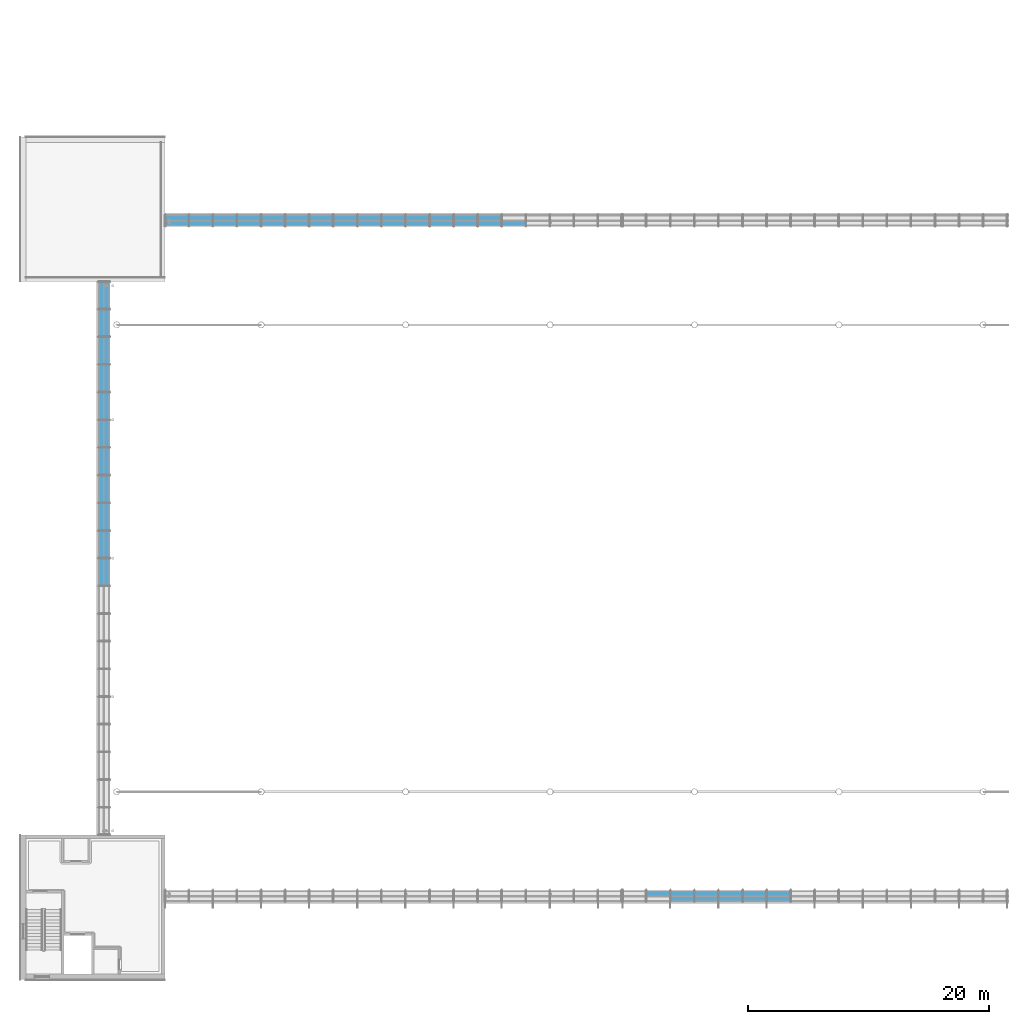
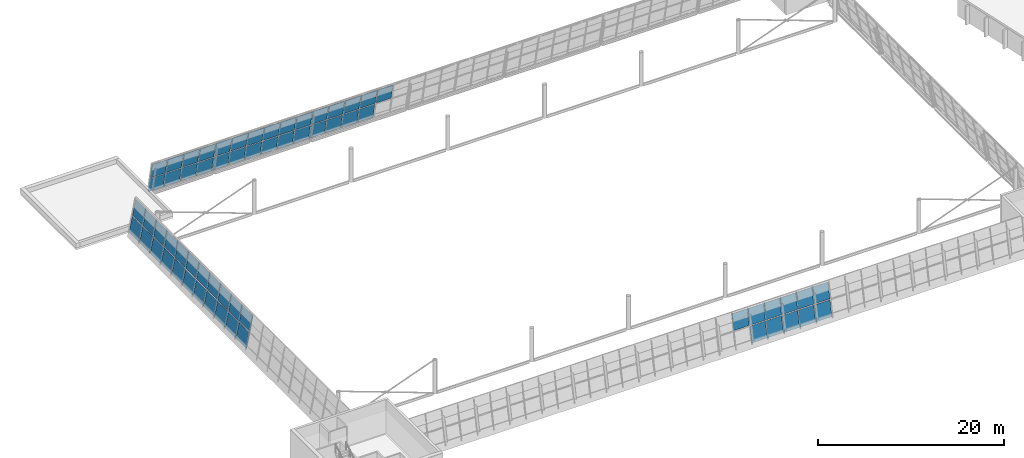
# One storey, part 24 of 50: 62 plates, 3 elements without a shape of their own.
"""IFC4 building model written with IfcOpenShell, lengths in metres."""

from ifc_helpers import new_model, si_unit, direction, frame, origin, place, context, subcontext, project, spatial, polyline, outline, extrude, material, layer, layer_set, type_object, element, aggregate, save


model = new_model("IFC4")

# Units and contexts
model_context = context("Model", 3, precision=1e-05, world=origin(), true_north=direction((0.0, 1.0)))
body_context = subcontext(model_context, "Body", "Model", "MODEL_VIEW")
ifc_project = project(units=[si_unit("LENGTHUNIT", "METRE"), si_unit("AREAUNIT", "SQUARE_METRE"), si_unit("VOLUMEUNIT", "CUBIC_METRE"), si_unit("PLANEANGLEUNIT", "RADIAN"), si_unit("MASSUNIT", "GRAM", prefix="KILO")], contexts=[model_context])

# Site, building, storey
site_placement = place(None, origin())
site = spatial("IfcSite", under=ifc_project, at=site_placement, CompositionType="ELEMENT")
building_placement = place(site_placement, origin())
building = spatial("IfcBuilding", under=site, at=building_placement, Name="Windward Yard Aquatics Centre", CompositionType="ELEMENT")
storey_placement = place(building_placement, frame((0.0, 0.0, 18.199951171875)))
storey = spatial("IfcBuildingStorey", under=building, at=storey_placement, Name="L04", CompositionType="ELEMENT", Elevation=18.199951171875)

# Curtain wall, plates
ifc_material_1 = material(Name="Glass and aluminium curtain wall", Category="aluminium")
ifc_layer_1 = layer(ifc_material_1, 0.179931640625)
ifc_layer_set_1 = layer_set([ifc_layer_1], Name="H curtain wall tier 2 double glazed 6+16+6")
curtain_wall_type = type_object("IfcCurtainWallType", Name="H curtain wall tier 2 double glazed 6+16+6", PredefinedType="NOTDEFINED", material=ifc_layer_set_1)
curtain_wall_1_placement = place(storey_placement, origin())
curtain_wall_1 = element("IfcCurtainWall", 1, at=curtain_wall_1_placement, inside=storey, type_object=curtain_wall_type, Name="Tier 2 glazing S L04", PredefinedType="NOTDEFINED")
ifc_material_2 = material(Name="Low-iron glass", Category="glass")
ifc_layer_2 = layer(ifc_material_2, 0.006, Name="Outer pane")
ifc_material_3 = material(Name="Argon-filled cavity")
ifc_layer_3 = layer(ifc_material_3, 0.016, Name="Cavity")
ifc_layer_4 = layer(ifc_material_2, 0.006, Name="Inner pane")
ifc_layer_set_2 = layer_set([ifc_layer_2, ifc_layer_3, ifc_layer_4], Name="H tier 2 glass low-e double glazed unit 28")
plate_type = type_object("IfcPlateType", Name="H tier 2 glass low-e double glazed unit 28", PredefinedType="CURTAIN_PANEL", material=ifc_layer_set_2)
plate_1_placement = place(storey_placement, frame((104.037353515625, 32.933837890625, 2.1767578125), z_axis=(0.0, -0.979926619255, 0.199358523457), x_axis=(1.0, 0.0, 0.0)))
plate_1 = element("IfcPlate", 2, at=plate_1_placement, type_object=plate_type, Name="G2SB panel 2.2", PredefinedType="CURTAIN_PANEL", context=body_context, shape_type="SweptSolid", body=[
    extrude(outline(polyline([(0.0, 0.0), (1.93457, 0.0), (1.93457, 2.012069), (0.0, 2.012069), (0.0, 0.0)])), origin(), (0.0, 0.0, -1.0), 0.028076171875),
])
plate_2_placement = place(storey_placement, frame((106.036865234375, 32.511474609375, 0.100830078125), z_axis=(0.0, -0.979933459069, 0.199324900092), x_axis=(1.0, 0.0, 0.0)))
plate_2 = element("IfcPlate", 3, at=plate_2_placement, type_object=plate_type, Name="G2SB panel 3.1", PredefinedType="CURTAIN_PANEL", context=body_context, shape_type="SweptSolid", body=[
    extrude(outline(polyline([(0.0, 0.0), (1.934814, 0.0), (1.934814, 2.018532), (0.0, 2.018532), (0.0, 0.0)])), origin(), (0.0, 0.0, -1.0), 0.028076171875),
])
plate_3_placement = place(storey_placement, frame((106.036865234375, 32.933837890625, 2.1767578125), z_axis=(0.0, -0.979926619255, 0.199358523457), x_axis=(1.0, 0.0, 0.0)))
plate_3 = element("IfcPlate", 4, at=plate_3_placement, type_object=plate_type, Name="G2SB panel 3.2", PredefinedType="CURTAIN_PANEL", context=body_context, shape_type="SweptSolid", body=[
    extrude(outline(polyline([(0.0, 0.0), (1.934814, 0.0), (1.934814, 2.012069), (0.0, 2.012069), (0.0, 0.0)])), origin(), (0.0, 0.0, -1.0), 0.028076171875),
])
plate_4_placement = place(storey_placement, frame((108.03662109375, 32.511474609375, 0.100830078125), z_axis=(0.0, -0.979933459069, 0.199324900092), x_axis=(1.0, 0.0, 0.0)))
plate_4 = element("IfcPlate", 5, at=plate_4_placement, type_object=plate_type, Name="G2SB panel 4.1", PredefinedType="CURTAIN_PANEL", context=body_context, shape_type="SweptSolid", body=[
    extrude(outline(polyline([(0.0, 0.0), (1.934814, 0.0), (1.934814, 2.018532), (0.0, 2.018532), (0.0, 0.0)])), origin(), (0.0, 0.0, -1.0), 0.028076171875),
])
plate_5_placement = place(storey_placement, frame((108.03662109375, 32.933837890625, 2.1767578125), z_axis=(0.0, -0.979926619255, 0.199358523457), x_axis=(1.0, 0.0, 0.0)))
plate_5 = element("IfcPlate", 6, at=plate_5_placement, type_object=plate_type, Name="G2SB panel 4.2", PredefinedType="CURTAIN_PANEL", context=body_context, shape_type="SweptSolid", body=[
    extrude(outline(polyline([(0.0, 0.0), (1.934814, 0.0), (1.934814, 2.012069), (0.0, 2.012069), (0.0, 0.0)])), origin(), (0.0, 0.0, -1.0), 0.028076171875),
])
plate_6_placement = place(storey_placement, frame((110.036376953125, 32.511474609375, 0.100830078125), z_axis=(0.0, -0.979933459069, 0.199324900092), x_axis=(1.0, 0.0, 0.0)))
plate_6 = element("IfcPlate", 7, at=plate_6_placement, type_object=plate_type, Name="G2SB panel 5.1", PredefinedType="CURTAIN_PANEL", context=body_context, shape_type="SweptSolid", body=[
    extrude(outline(polyline([(0.0, 0.0), (1.934814, 0.0), (1.934814, 2.018532), (0.0, 2.018532), (0.0, 0.0)])), origin(), (0.0, 0.0, -1.0), 0.028076171875),
])
plate_7_placement = place(storey_placement, frame((110.036376953125, 32.933837890625, 2.1767578125), z_axis=(0.0, -0.979926619255, 0.199358523457), x_axis=(1.0, 0.0, 0.0)))
plate_7 = element("IfcPlate", 8, at=plate_7_placement, type_object=plate_type, Name="G2SB panel 5.2", PredefinedType="CURTAIN_PANEL", context=body_context, shape_type="SweptSolid", body=[
    extrude(outline(polyline([(0.0, 0.0), (1.934814, 0.0), (1.934814, 2.012069), (0.0, 2.012069), (0.0, 0.0)])), origin(), (0.0, 0.0, -1.0), 0.028076171875),
])
plate_8_placement = place(storey_placement, frame((112.0361328125, 32.511474609375, 0.100830078125), z_axis=(0.0, -0.979933459069, 0.199324900092), x_axis=(1.0, 0.0, 0.0)))
plate_8 = element("IfcPlate", 9, at=plate_8_placement, type_object=plate_type, Name="G2SB panel 6.1", PredefinedType="CURTAIN_PANEL", context=body_context, shape_type="SweptSolid", body=[
    extrude(outline(polyline([(0.0, 0.0), (1.934814, 0.0), (1.934814, 2.018532), (0.0, 2.018532), (0.0, 0.0)])), origin(), (0.0, 0.0, -1.0), 0.028076171875),
])
plate_9_placement = place(storey_placement, frame((112.0361328125, 32.933837890625, 2.1767578125), z_axis=(0.0, -0.979926619255, 0.199358523457), x_axis=(1.0, 0.0, 0.0)))
plate_9 = element("IfcPlate", 10, at=plate_9_placement, type_object=plate_type, Name="G2SB panel 6.2", PredefinedType="CURTAIN_PANEL", context=body_context, shape_type="SweptSolid", body=[
    extrude(outline(polyline([(0.0, 0.0), (1.934814, 0.0), (1.934814, 2.012069), (0.0, 2.012069), (0.0, 0.0)])), origin(), (0.0, 0.0, -1.0), 0.028076171875),
])
plate_10_placement = place(storey_placement, frame((114.035888671875, 32.511474609375, 0.100830078125), z_axis=(0.0, -0.979933459069, 0.199324900092), x_axis=(1.0, 0.0, 0.0)))
plate_10 = element("IfcPlate", 11, at=plate_10_placement, type_object=plate_type, Name="G2SB panel 7.1", PredefinedType="CURTAIN_PANEL", context=body_context, shape_type="SweptSolid", body=[
    extrude(outline(polyline([(0.0, 0.0), (1.934814, 0.0), (1.934814, 2.018532), (0.0, 2.018532), (0.0, 0.0)])), origin(), (0.0, 0.0, -1.0), 0.028076171875),
])
plate_11_placement = place(storey_placement, frame((114.035888671875, 32.933837890625, 2.1767578125), z_axis=(0.0, -0.979926619255, 0.199358523457), x_axis=(1.0, 0.0, 0.0)))
plate_11 = element("IfcPlate", 12, at=plate_11_placement, type_object=plate_type, Name="G2SB panel 7.2", PredefinedType="CURTAIN_PANEL", context=body_context, shape_type="SweptSolid", body=[
    extrude(outline(polyline([(0.0, 0.0), (1.934814, 0.0), (1.934814, 2.012069), (0.0, 2.012069), (0.0, 0.0)])), origin(), (0.0, 0.0, -1.0), 0.028076171875),
])
aggregate(curtain_wall_1, [plate_1, plate_2, plate_3, plate_4, plate_5, plate_6, plate_7, plate_8, plate_9, plate_10, plate_11])

curtain_wall_2_placement = place(storey_placement, origin())
curtain_wall_2 = element("IfcCurtainWall", 13, at=curtain_wall_2_placement, inside=storey, type_object=curtain_wall_type, Name="Tier 2 glazing N L04", PredefinedType="NOTDEFINED")
plate_12_placement = place(storey_placement, frame((64.06494140625, 89.086181640625, 2.078857421875), z_axis=(0.0, 0.979933459069, 0.199324900092), x_axis=(0.0, 0.199324900092, -0.979933459069)))
plate_12 = element("IfcPlate", 14, at=plate_12_placement, type_object=plate_type, Name="G2NA panel 1.1", PredefinedType="CURTAIN_PANEL", context=body_context, shape_type="SweptSolid", body=[
    extrude(outline(polyline([(0.0, 0.0), (2.018532, 0.0), (2.018532, -1.902344), (0.0, -1.902344), (0.0, 0.0)])), origin(), (0.0, 0.0, -1.0), 0.028076171875),
])
plate_13_placement = place(storey_placement, frame((64.06494140625, 88.6650390625, 4.1484375), z_axis=(0.0, 0.979926619255, 0.199358523457), x_axis=(0.0, 0.199358523457, -0.979926619255)))
plate_13 = element("IfcPlate", 15, at=plate_13_placement, type_object=plate_type, Name="G2NA panel 1.2", PredefinedType="CURTAIN_PANEL", context=body_context, shape_type="SweptSolid", body=[
    extrude(outline(polyline([(0.0, 0.0), (2.012069, 0.0), (2.012069, -1.902344), (0.0, -1.902344), (0.0, 0.0)])), origin(), (0.0, 0.0, -1.0), 0.028076171875),
])
plate_14_placement = place(storey_placement, frame((66.0322265625, 89.086181640625, 2.078857421875), z_axis=(0.0, 0.979933459069, 0.199324900092), x_axis=(0.0, 0.199324900092, -0.979933459069)))
plate_14 = element("IfcPlate", 16, at=plate_14_placement, type_object=plate_type, Name="G2NA panel 2.1", PredefinedType="CURTAIN_PANEL", context=body_context, shape_type="SweptSolid", body=[
    extrude(outline(polyline([(0.0, 0.0), (2.018532, 0.0), (2.018532, -1.934814), (0.0, -1.934814), (0.0, 0.0)])), origin(), (0.0, 0.0, -1.0), 0.028076171875),
])
plate_15_placement = place(storey_placement, frame((66.0322265625, 88.6650390625, 4.1484375), z_axis=(0.0, 0.979926619255, 0.199358523457), x_axis=(0.0, 0.199358523457, -0.979926619255)))
plate_15 = element("IfcPlate", 17, at=plate_15_placement, type_object=plate_type, Name="G2NA panel 2.2", PredefinedType="CURTAIN_PANEL", context=body_context, shape_type="SweptSolid", body=[
    extrude(outline(polyline([(0.0, 0.0), (2.012069, 0.0), (2.012069, -1.934814), (0.0, -1.934814), (0.0, 0.0)])), origin(), (0.0, 0.0, -1.0), 0.028076171875),
])
plate_16_placement = place(storey_placement, frame((68.031982421875, 89.086181640625, 2.078857421875), z_axis=(0.0, 0.979933459069, 0.199324900092), x_axis=(0.0, 0.199324900092, -0.979933459069)))
plate_16 = element("IfcPlate", 18, at=plate_16_placement, type_object=plate_type, Name="G2NA panel 3.1", PredefinedType="CURTAIN_PANEL", context=body_context, shape_type="SweptSolid", body=[
    extrude(outline(polyline([(0.0, 0.0), (2.018532, 0.0), (2.018532, -1.934814), (0.0, -1.934814), (0.0, 0.0)])), origin(), (0.0, 0.0, -1.0), 0.028076171875),
])
plate_17_placement = place(storey_placement, frame((68.031982421875, 88.6650390625, 4.1484375), z_axis=(0.0, 0.979926619255, 0.199358523457), x_axis=(0.0, 0.199358523457, -0.979926619255)))
plate_17 = element("IfcPlate", 19, at=plate_17_placement, type_object=plate_type, Name="G2NA panel 3.2", PredefinedType="CURTAIN_PANEL", context=body_context, shape_type="SweptSolid", body=[
    extrude(outline(polyline([(0.0, 0.0), (2.012069, 0.0), (2.012069, -1.934814), (0.0, -1.934814), (0.0, 0.0)])), origin(), (0.0, 0.0, -1.0), 0.028076171875),
])
plate_18_placement = place(storey_placement, frame((70.03173828125, 89.086181640625, 2.078857421875), z_axis=(0.0, 0.979933459069, 0.199324900092), x_axis=(0.0, 0.199324900092, -0.979933459069)))
plate_18 = element("IfcPlate", 20, at=plate_18_placement, type_object=plate_type, Name="G2NA panel 4.1", PredefinedType="CURTAIN_PANEL", context=body_context, shape_type="SweptSolid", body=[
    extrude(outline(polyline([(0.0, 0.0), (2.018532, 0.0), (2.018532, -1.934814), (0.0, -1.934814), (0.0, 0.0)])), origin(), (0.0, 0.0, -1.0), 0.028076171875),
])
plate_19_placement = place(storey_placement, frame((70.03173828125, 88.6650390625, 4.1484375), z_axis=(0.0, 0.979926619255, 0.199358523457), x_axis=(0.0, 0.199358523457, -0.979926619255)))
plate_19 = element("IfcPlate", 21, at=plate_19_placement, type_object=plate_type, Name="G2NA panel 4.2", PredefinedType="CURTAIN_PANEL", context=body_context, shape_type="SweptSolid", body=[
    extrude(outline(polyline([(0.0, 0.0), (2.012069, 0.0), (2.012069, -1.934814), (0.0, -1.934814), (0.0, 0.0)])), origin(), (0.0, 0.0, -1.0), 0.028076171875),
])
plate_20_placement = place(storey_placement, frame((72.031494140625, 89.086181640625, 2.078857421875), z_axis=(0.0, 0.979933459069, 0.199324900092), x_axis=(0.0, 0.199324900092, -0.979933459069)))
plate_20 = element("IfcPlate", 22, at=plate_20_placement, type_object=plate_type, Name="G2NA panel 5.1", PredefinedType="CURTAIN_PANEL", context=body_context, shape_type="SweptSolid", body=[
    extrude(outline(polyline([(0.0, 0.0), (2.018532, 0.0), (2.018532, -1.93457), (0.0, -1.93457), (0.0, 0.0)])), origin(), (0.0, 0.0, -1.0), 0.028076171875),
])
plate_21_placement = place(storey_placement, frame((72.031494140625, 88.6650390625, 4.1484375), z_axis=(0.0, 0.979926619255, 0.199358523457), x_axis=(0.0, 0.199358523457, -0.979926619255)))
plate_21 = element("IfcPlate", 23, at=plate_21_placement, type_object=plate_type, Name="G2NA panel 5.2", PredefinedType="CURTAIN_PANEL", context=body_context, shape_type="SweptSolid", body=[
    extrude(outline(polyline([(0.0, 0.0), (2.012069, 0.0), (2.012069, -1.93457), (0.0, -1.93457), (0.0, 0.0)])), origin(), (0.0, 0.0, -1.0), 0.028076171875),
])
plate_22_placement = place(storey_placement, frame((74.03125, 89.086181640625, 2.078857421875), z_axis=(0.0, 0.979933459069, 0.199324900092), x_axis=(0.0, 0.199324900092, -0.979933459069)))
plate_22 = element("IfcPlate", 24, at=plate_22_placement, type_object=plate_type, Name="G2NA panel 6.1", PredefinedType="CURTAIN_PANEL", context=body_context, shape_type="SweptSolid", body=[
    extrude(outline(polyline([(0.0, 0.0), (2.018532, 0.0), (2.018532, -1.93457), (0.0, -1.93457), (0.0, 0.0)])), origin(), (0.0, 0.0, -1.0), 0.028076171875),
])
plate_23_placement = place(storey_placement, frame((74.03125, 88.6650390625, 4.1484375), z_axis=(0.0, 0.979926619255, 0.199358523457), x_axis=(0.0, 0.199358523457, -0.979926619255)))
plate_23 = element("IfcPlate", 25, at=plate_23_placement, type_object=plate_type, Name="G2NA panel 6.2", PredefinedType="CURTAIN_PANEL", context=body_context, shape_type="SweptSolid", body=[
    extrude(outline(polyline([(0.0, 0.0), (2.012069, 0.0), (2.012069, -1.93457), (0.0, -1.93457), (0.0, 0.0)])), origin(), (0.0, 0.0, -1.0), 0.028076171875),
])
plate_24_placement = place(storey_placement, frame((76.031005859375, 89.086181640625, 2.078857421875), z_axis=(0.0, 0.979933459069, 0.199324900092), x_axis=(0.0, 0.199324900092, -0.979933459069)))
plate_24 = element("IfcPlate", 26, at=plate_24_placement, type_object=plate_type, Name="G2NA panel 7.1", PredefinedType="CURTAIN_PANEL", context=body_context, shape_type="SweptSolid", body=[
    extrude(outline(polyline([(0.0, 0.0), (2.018532, 0.0), (2.018532, -1.93457), (0.0, -1.93457), (0.0, 0.0)])), origin(), (0.0, 0.0, -1.0), 0.028076171875),
])
plate_25_placement = place(storey_placement, frame((76.031005859375, 88.6650390625, 4.1484375), z_axis=(0.0, 0.979926619255, 0.199358523457), x_axis=(0.0, 0.199358523457, -0.979926619255)))
plate_25 = element("IfcPlate", 27, at=plate_25_placement, type_object=plate_type, Name="G2NA panel 7.2", PredefinedType="CURTAIN_PANEL", context=body_context, shape_type="SweptSolid", body=[
    extrude(outline(polyline([(0.0, 0.0), (2.012069, 0.0), (2.012069, -1.93457), (0.0, -1.93457), (0.0, 0.0)])), origin(), (0.0, 0.0, -1.0), 0.028076171875),
])
plate_26_placement = place(storey_placement, frame((78.03076171875, 89.086181640625, 2.078857421875), z_axis=(0.0, 0.979933459069, 0.199324900092), x_axis=(0.0, 0.199324900092, -0.979933459069)))
plate_26 = element("IfcPlate", 28, at=plate_26_placement, type_object=plate_type, Name="G2NA panel 8.1", PredefinedType="CURTAIN_PANEL", context=body_context, shape_type="SweptSolid", body=[
    extrude(outline(polyline([(0.0, 0.0), (2.018532, 0.0), (2.018532, -1.93457), (0.0, -1.93457), (0.0, 0.0)])), origin(), (0.0, 0.0, -1.0), 0.028076171875),
])
plate_27_placement = place(storey_placement, frame((78.03076171875, 88.6650390625, 4.1484375), z_axis=(0.0, 0.979926619255, 0.199358523457), x_axis=(0.0, 0.199358523457, -0.979926619255)))
plate_27 = element("IfcPlate", 29, at=plate_27_placement, type_object=plate_type, Name="G2NA panel 8.2", PredefinedType="CURTAIN_PANEL", context=body_context, shape_type="SweptSolid", body=[
    extrude(outline(polyline([(0.0, 0.0), (2.012069, 0.0), (2.012069, -1.93457), (0.0, -1.93457), (0.0, 0.0)])), origin(), (0.0, 0.0, -1.0), 0.028076171875),
])
plate_28_placement = place(storey_placement, frame((80.0302734375, 89.086181640625, 2.078857421875), z_axis=(0.0, 0.979933459069, 0.199324900092), x_axis=(0.0, 0.199324900092, -0.979933459069)))
plate_28 = element("IfcPlate", 30, at=plate_28_placement, type_object=plate_type, Name="G2NA panel 9.1", PredefinedType="CURTAIN_PANEL", context=body_context, shape_type="SweptSolid", body=[
    extrude(outline(polyline([(0.0, 0.0), (2.018532, 0.0), (2.018532, -1.934814), (0.0, -1.934814), (0.0, 0.0)])), origin(), (0.0, 0.0, -1.0), 0.028076171875),
])
plate_29_placement = place(storey_placement, frame((80.0302734375, 88.6650390625, 4.1484375), z_axis=(0.0, 0.979926619255, 0.199358523457), x_axis=(0.0, 0.199358523457, -0.979926619255)))
plate_29 = element("IfcPlate", 31, at=plate_29_placement, type_object=plate_type, Name="G2NA panel 9.2", PredefinedType="CURTAIN_PANEL", context=body_context, shape_type="SweptSolid", body=[
    extrude(outline(polyline([(0.0, 0.0), (2.012069, 0.0), (2.012069, -1.934814), (0.0, -1.934814), (0.0, 0.0)])), origin(), (0.0, 0.0, -1.0), 0.028076171875),
])
plate_30_placement = place(storey_placement, frame((82.030029296875, 89.086181640625, 2.078857421875), z_axis=(0.0, 0.979933459069, 0.199324900092), x_axis=(0.0, 0.199324900092, -0.979933459069)))
plate_30 = element("IfcPlate", 32, at=plate_30_placement, type_object=plate_type, Name="G2NA panel 10.1", PredefinedType="CURTAIN_PANEL", context=body_context, shape_type="SweptSolid", body=[
    extrude(outline(polyline([(0.0, 0.0), (2.018532, 0.0), (2.018532, -1.934814), (0.0, -1.934814), (0.0, 0.0)])), origin(), (0.0, 0.0, -1.0), 0.028076171875),
])
plate_31_placement = place(storey_placement, frame((82.030029296875, 88.6650390625, 4.1484375), z_axis=(0.0, 0.979926619255, 0.199358523457), x_axis=(0.0, 0.199358523457, -0.979926619255)))
plate_31 = element("IfcPlate", 33, at=plate_31_placement, type_object=plate_type, Name="G2NA panel 10.2", PredefinedType="CURTAIN_PANEL", context=body_context, shape_type="SweptSolid", body=[
    extrude(outline(polyline([(0.0, 0.0), (2.012069, 0.0), (2.012069, -1.934814), (0.0, -1.934814), (0.0, 0.0)])), origin(), (0.0, 0.0, -1.0), 0.028076171875),
])
plate_32_placement = place(storey_placement, frame((84.02978515625, 89.086181640625, 2.078857421875), z_axis=(0.0, 0.979933459069, 0.199324900092), x_axis=(0.0, 0.199324900092, -0.979933459069)))
plate_32 = element("IfcPlate", 34, at=plate_32_placement, type_object=plate_type, Name="G2NA panel 11.1", PredefinedType="CURTAIN_PANEL", context=body_context, shape_type="SweptSolid", body=[
    extrude(outline(polyline([(0.0, 0.0), (2.018532, 0.0), (2.018532, -1.934814), (0.0, -1.934814), (0.0, 0.0)])), origin(), (0.0, 0.0, -1.0), 0.028076171875),
])
plate_33_placement = place(storey_placement, frame((84.02978515625, 88.6650390625, 4.1484375), z_axis=(0.0, 0.979926619255, 0.199358523457), x_axis=(0.0, 0.199358523457, -0.979926619255)))
plate_33 = element("IfcPlate", 35, at=plate_33_placement, type_object=plate_type, Name="G2NA panel 11.2", PredefinedType="CURTAIN_PANEL", context=body_context, shape_type="SweptSolid", body=[
    extrude(outline(polyline([(0.0, 0.0), (2.012069, 0.0), (2.012069, -1.934814), (0.0, -1.934814), (0.0, 0.0)])), origin(), (0.0, 0.0, -1.0), 0.028076171875),
])
plate_34_placement = place(storey_placement, frame((86.029541015625, 89.086181640625, 2.078857421875), z_axis=(0.0, 0.979933459069, 0.199324900092), x_axis=(0.0, 0.199324900092, -0.979933459069)))
plate_34 = element("IfcPlate", 36, at=plate_34_placement, type_object=plate_type, Name="G2NA panel 12.1", PredefinedType="CURTAIN_PANEL", context=body_context, shape_type="SweptSolid", body=[
    extrude(outline(polyline([(0.0, 0.0), (2.018532, 0.0), (2.018532, -1.934814), (0.0, -1.934814), (0.0, 0.0)])), origin(), (0.0, 0.0, -1.0), 0.028076171875),
])
plate_35_placement = place(storey_placement, frame((86.029541015625, 88.6650390625, 4.1484375), z_axis=(0.0, 0.979926619255, 0.199358523457), x_axis=(0.0, 0.199358523457, -0.979926619255)))
plate_35 = element("IfcPlate", 37, at=plate_35_placement, type_object=plate_type, Name="G2NA panel 12.2", PredefinedType="CURTAIN_PANEL", context=body_context, shape_type="SweptSolid", body=[
    extrude(outline(polyline([(0.0, 0.0), (2.012069, 0.0), (2.012069, -1.934814), (0.0, -1.934814), (0.0, 0.0)])), origin(), (0.0, 0.0, -1.0), 0.028076171875),
])
plate_36_placement = place(storey_placement, frame((88.029296875, 89.086181640625, 2.078857421875), z_axis=(0.0, 0.979933459069, 0.199324900092), x_axis=(0.0, 0.199324900092, -0.979933459069)))
plate_36 = element("IfcPlate", 38, at=plate_36_placement, type_object=plate_type, Name="G2NA panel 13.1", PredefinedType="CURTAIN_PANEL", context=body_context, shape_type="SweptSolid", body=[
    extrude(outline(polyline([(0.0, 0.0), (2.018532, 0.0), (2.018532, -1.934814), (0.0, -1.934814), (0.0, 0.0)])), origin(), (0.0, 0.0, -1.0), 0.028076171875),
])
plate_37_placement = place(storey_placement, frame((88.029296875, 88.6650390625, 4.1484375), z_axis=(0.0, 0.979926619255, 0.199358523457), x_axis=(0.0, 0.199358523457, -0.979926619255)))
plate_37 = element("IfcPlate", 39, at=plate_37_placement, type_object=plate_type, Name="G2NA panel 13.2", PredefinedType="CURTAIN_PANEL", context=body_context, shape_type="SweptSolid", body=[
    extrude(outline(polyline([(0.0, 0.0), (2.012069, 0.0), (2.012069, -1.934814), (0.0, -1.934814), (0.0, 0.0)])), origin(), (0.0, 0.0, -1.0), 0.028076171875),
])
plate_38_placement = place(storey_placement, frame((90.029052734375, 89.086181640625, 2.078857421875), z_axis=(0.0, 0.979933459069, 0.199324900092), x_axis=(0.0, 0.199324900092, -0.979933459069)))
plate_38 = element("IfcPlate", 40, at=plate_38_placement, type_object=plate_type, Name="G2NA panel 14.1", PredefinedType="CURTAIN_PANEL", context=body_context, shape_type="SweptSolid", body=[
    extrude(outline(polyline([(0.0, 0.0), (2.018532, 0.0), (2.018532, -1.934814), (0.0, -1.934814), (0.0, 0.0)])), origin(), (0.0, 0.0, -1.0), 0.028076171875),
])
plate_39_placement = place(storey_placement, frame((90.029052734375, 88.6650390625, 4.1484375), z_axis=(0.0, 0.979926619255, 0.199358523457), x_axis=(0.0, 0.199358523457, -0.979926619255)))
plate_39 = element("IfcPlate", 41, at=plate_39_placement, type_object=plate_type, Name="G2NA panel 14.2", PredefinedType="CURTAIN_PANEL", context=body_context, shape_type="SweptSolid", body=[
    extrude(outline(polyline([(0.0, 0.0), (2.012069, 0.0), (2.012069, -1.934814), (0.0, -1.934814), (0.0, 0.0)])), origin(), (0.0, 0.0, -1.0), 0.028076171875),
])
plate_40_placement = place(storey_placement, frame((92.02880859375, 88.6650390625, 4.1484375), z_axis=(0.0, 0.979926619255, 0.199358523457), x_axis=(0.0, 0.199358523457, -0.979926619255)))
plate_40 = element("IfcPlate", 42, at=plate_40_placement, type_object=plate_type, Name="G2NA panel 15.2", PredefinedType="CURTAIN_PANEL", context=body_context, shape_type="SweptSolid", body=[
    extrude(outline(polyline([(0.0, 0.0), (2.012069, 0.0), (2.012069, -1.934814), (0.0, -1.934814), (0.0, 0.0)])), origin(), (0.0, 0.0, -1.0), 0.028076171875),
])
aggregate(curtain_wall_2, [plate_12, plate_13, plate_14, plate_15, plate_16, plate_17, plate_18, plate_19, plate_20, plate_21, plate_22, plate_23, plate_24, plate_25, plate_26, plate_27, plate_28, plate_29, plate_30, plate_31, plate_32, plate_33, plate_34, plate_35, plate_36, plate_37, plate_38, plate_39, plate_40])

curtain_wall_3_placement = place(storey_placement, origin())
curtain_wall_3 = element("IfcCurtainWall", 43, at=curtain_wall_3_placement, inside=storey, type_object=curtain_wall_type, Name="Tier 2 glazing W L04", PredefinedType="NOTDEFINED")
plate_41_placement = place(storey_placement, frame((58.511474609375, 58.732421875, 0.100830078125), z_axis=(-0.979933459069, 0.0, 0.199324900092), x_axis=(0.0, 1.0, 0.0)))
plate_41 = element("IfcPlate", 44, at=plate_41_placement, type_object=plate_type, Name="G2WA panel 10.1", PredefinedType="CURTAIN_PANEL", context=body_context, shape_type="SweptSolid", body=[
    extrude(outline(polyline([(0.0, 0.0), (2.235107, 0.0), (2.235107, -2.018532), (0.0, -2.018532), (0.0, 0.0)])), origin(), (0.0, 0.0, -1.0), 0.028076171875),
])
plate_42_placement = place(storey_placement, frame((58.933837890625, 58.732421875, 2.1767578125), z_axis=(-0.979926619255, 0.0, 0.199358523457), x_axis=(0.0, 1.0, 0.0)))
plate_42 = element("IfcPlate", 45, at=plate_42_placement, type_object=plate_type, Name="G2WA panel 10.2", PredefinedType="CURTAIN_PANEL", context=body_context, shape_type="SweptSolid", body=[
    extrude(outline(polyline([(0.0, 0.0), (2.235107, 0.0), (2.235107, -2.012069), (0.0, -2.012069), (0.0, 0.0)])), origin(), (0.0, 0.0, -1.0), 0.028076171875),
])
plate_43_placement = place(storey_placement, frame((58.511474609375, 61.032470703125, 0.100830078125), z_axis=(-0.979933459069, 0.0, 0.199324900092), x_axis=(0.0, 1.0, 0.0)))
plate_43 = element("IfcPlate", 46, at=plate_43_placement, type_object=plate_type, Name="G2WA panel 11.1", PredefinedType="CURTAIN_PANEL", context=body_context, shape_type="SweptSolid", body=[
    extrude(outline(polyline([(0.0, 0.0), (2.235107, 0.0), (2.235107, -2.018532), (0.0, -2.018532), (0.0, 0.0)])), origin(), (0.0, 0.0, -1.0), 0.028076171875),
])
plate_44_placement = place(storey_placement, frame((58.933837890625, 61.032470703125, 2.1767578125), z_axis=(-0.979926619255, 0.0, 0.199358523457), x_axis=(0.0, 1.0, 0.0)))
plate_44 = element("IfcPlate", 47, at=plate_44_placement, type_object=plate_type, Name="G2WA panel 11.2", PredefinedType="CURTAIN_PANEL", context=body_context, shape_type="SweptSolid", body=[
    extrude(outline(polyline([(0.0, 0.0), (2.235107, 0.0), (2.235107, -2.012069), (0.0, -2.012069), (0.0, 0.0)])), origin(), (0.0, 0.0, -1.0), 0.028076171875),
])
plate_45_placement = place(storey_placement, frame((58.511474609375, 63.33251953125, 0.100830078125), z_axis=(-0.979933459069, 0.0, 0.199324900092), x_axis=(0.0, 1.0, 0.0)))
plate_45 = element("IfcPlate", 48, at=plate_45_placement, type_object=plate_type, Name="G2WA panel 12.1", PredefinedType="CURTAIN_PANEL", context=body_context, shape_type="SweptSolid", body=[
    extrude(outline(polyline([(0.0, 0.0), (2.234863, 0.0), (2.234863, -2.018532), (0.0, -2.018532), (0.0, 0.0)])), origin(), (0.0, 0.0, -1.0), 0.028076171875),
])
plate_46_placement = place(storey_placement, frame((58.933837890625, 63.33251953125, 2.1767578125), z_axis=(-0.979926619255, 0.0, 0.199358523457), x_axis=(0.0, 1.0, 0.0)))
plate_46 = element("IfcPlate", 49, at=plate_46_placement, type_object=plate_type, Name="G2WA panel 12.2", PredefinedType="CURTAIN_PANEL", context=body_context, shape_type="SweptSolid", body=[
    extrude(outline(polyline([(0.0, 0.0), (2.234863, 0.0), (2.234863, -2.012069), (0.0, -2.012069), (0.0, 0.0)])), origin(), (0.0, 0.0, -1.0), 0.028076171875),
])
plate_47_placement = place(storey_placement, frame((58.511474609375, 65.632568359375, 0.100830078125), z_axis=(-0.979933459069, 0.0, 0.199324900092), x_axis=(0.0, 1.0, 0.0)))
plate_47 = element("IfcPlate", 50, at=plate_47_placement, type_object=plate_type, Name="G2WA panel 13.1", PredefinedType="CURTAIN_PANEL", context=body_context, shape_type="SweptSolid", body=[
    extrude(outline(polyline([(0.0, 0.0), (2.234863, 0.0), (2.234863, -2.018532), (0.0, -2.018532), (0.0, 0.0)])), origin(), (0.0, 0.0, -1.0), 0.028076171875),
])
plate_48_placement = place(storey_placement, frame((58.933837890625, 65.632568359375, 2.1767578125), z_axis=(-0.979926619255, 0.0, 0.199358523457), x_axis=(0.0, 1.0, 0.0)))
plate_48 = element("IfcPlate", 51, at=plate_48_placement, type_object=plate_type, Name="G2WA panel 13.2", PredefinedType="CURTAIN_PANEL", context=body_context, shape_type="SweptSolid", body=[
    extrude(outline(polyline([(0.0, 0.0), (2.234863, 0.0), (2.234863, -2.012069), (0.0, -2.012069), (0.0, 0.0)])), origin(), (0.0, 0.0, -1.0), 0.028076171875),
])
plate_49_placement = place(storey_placement, frame((58.511474609375, 67.9326171875, 0.100830078125), z_axis=(-0.979933459069, 0.0, 0.199324900092), x_axis=(0.0, 1.0, 0.0)))
plate_49 = element("IfcPlate", 52, at=plate_49_placement, type_object=plate_type, Name="G2WA panel 14.1", PredefinedType="CURTAIN_PANEL", context=body_context, shape_type="SweptSolid", body=[
    extrude(outline(polyline([(0.0, 0.0), (2.234863, 0.0), (2.234863, -2.018532), (0.0, -2.018532), (0.0, 0.0)])), origin(), (0.0, 0.0, -1.0), 0.028076171875),
])
plate_50_placement = place(storey_placement, frame((58.933837890625, 67.9326171875, 2.1767578125), z_axis=(-0.979926619255, 0.0, 0.199358523457), x_axis=(0.0, 1.0, 0.0)))
plate_50 = element("IfcPlate", 53, at=plate_50_placement, type_object=plate_type, Name="G2WA panel 14.2", PredefinedType="CURTAIN_PANEL", context=body_context, shape_type="SweptSolid", body=[
    extrude(outline(polyline([(0.0, 0.0), (2.234863, 0.0), (2.234863, -2.012069), (0.0, -2.012069), (0.0, 0.0)])), origin(), (0.0, 0.0, -1.0), 0.028076171875),
])
plate_51_placement = place(storey_placement, frame((58.511474609375, 70.232421875, 0.100830078125), z_axis=(-0.979933459069, 0.0, 0.199324900092), x_axis=(0.0, 1.0, 0.0)))
plate_51 = element("IfcPlate", 54, at=plate_51_placement, type_object=plate_type, Name="G2WA panel 15.1", PredefinedType="CURTAIN_PANEL", context=body_context, shape_type="SweptSolid", body=[
    extrude(outline(polyline([(0.0, 0.0), (2.235107, 0.0), (2.235107, -2.018532), (0.0, -2.018532), (0.0, 0.0)])), origin(), (0.0, 0.0, -1.0), 0.028076171875),
])
plate_52_placement = place(storey_placement, frame((58.933837890625, 70.232421875, 2.1767578125), z_axis=(-0.979926619255, 0.0, 0.199358523457), x_axis=(0.0, 1.0, 0.0)))
plate_52 = element("IfcPlate", 55, at=plate_52_placement, type_object=plate_type, Name="G2WA panel 15.2", PredefinedType="CURTAIN_PANEL", context=body_context, shape_type="SweptSolid", body=[
    extrude(outline(polyline([(0.0, 0.0), (2.235107, 0.0), (2.235107, -2.012069), (0.0, -2.012069), (0.0, 0.0)])), origin(), (0.0, 0.0, -1.0), 0.028076171875),
])
plate_53_placement = place(storey_placement, frame((58.511474609375, 72.532470703125, 0.100830078125), z_axis=(-0.979933459069, 0.0, 0.199324900092), x_axis=(0.0, 1.0, 0.0)))
plate_53 = element("IfcPlate", 56, at=plate_53_placement, type_object=plate_type, Name="G2WA panel 16.1", PredefinedType="CURTAIN_PANEL", context=body_context, shape_type="SweptSolid", body=[
    extrude(outline(polyline([(0.0, 0.0), (2.235107, 0.0), (2.235107, -2.018532), (0.0, -2.018532), (0.0, 0.0)])), origin(), (0.0, 0.0, -1.0), 0.028076171875),
])
plate_54_placement = place(storey_placement, frame((58.933837890625, 72.532470703125, 2.1767578125), z_axis=(-0.979926619255, 0.0, 0.199358523457), x_axis=(0.0, 1.0, 0.0)))
plate_54 = element("IfcPlate", 57, at=plate_54_placement, type_object=plate_type, Name="G2WA panel 16.2", PredefinedType="CURTAIN_PANEL", context=body_context, shape_type="SweptSolid", body=[
    extrude(outline(polyline([(0.0, 0.0), (2.235107, 0.0), (2.235107, -2.012069), (0.0, -2.012069), (0.0, 0.0)])), origin(), (0.0, 0.0, -1.0), 0.028076171875),
])
plate_55_placement = place(storey_placement, frame((58.511474609375, 74.83251953125, 0.100830078125), z_axis=(-0.979933459069, 0.0, 0.199324900092), x_axis=(0.0, 1.0, 0.0)))
plate_55 = element("IfcPlate", 58, at=plate_55_placement, type_object=plate_type, Name="G2WA panel 17.1", PredefinedType="CURTAIN_PANEL", context=body_context, shape_type="SweptSolid", body=[
    extrude(outline(polyline([(0.0, 0.0), (2.234863, 0.0), (2.234863, -2.018532), (0.0, -2.018532), (0.0, 0.0)])), origin(), (0.0, 0.0, -1.0), 0.028076171875),
])
plate_56_placement = place(storey_placement, frame((58.933837890625, 74.83251953125, 2.1767578125), z_axis=(-0.979926619255, 0.0, 0.199358523457), x_axis=(0.0, 1.0, 0.0)))
plate_56 = element("IfcPlate", 59, at=plate_56_placement, type_object=plate_type, Name="G2WA panel 17.2", PredefinedType="CURTAIN_PANEL", context=body_context, shape_type="SweptSolid", body=[
    extrude(outline(polyline([(0.0, 0.0), (2.234863, 0.0), (2.234863, -2.012069), (0.0, -2.012069), (0.0, 0.0)])), origin(), (0.0, 0.0, -1.0), 0.028076171875),
])
plate_57_placement = place(storey_placement, frame((58.511474609375, 77.132568359375, 0.100830078125), z_axis=(-0.979933459069, 0.0, 0.199324900092), x_axis=(0.0, 1.0, 0.0)))
plate_57 = element("IfcPlate", 60, at=plate_57_placement, type_object=plate_type, Name="G2WA panel 18.1", PredefinedType="CURTAIN_PANEL", context=body_context, shape_type="SweptSolid", body=[
    extrude(outline(polyline([(0.0, 0.0), (2.234863, 0.0), (2.234863, -2.018532), (0.0, -2.018532), (0.0, 0.0)])), origin(), (0.0, 0.0, -1.0), 0.028076171875),
])
plate_58_placement = place(storey_placement, frame((58.933837890625, 77.132568359375, 2.1767578125), z_axis=(-0.979926619255, 0.0, 0.199358523457), x_axis=(0.0, 1.0, 0.0)))
plate_58 = element("IfcPlate", 61, at=plate_58_placement, type_object=plate_type, Name="G2WA panel 18.2", PredefinedType="CURTAIN_PANEL", context=body_context, shape_type="SweptSolid", body=[
    extrude(outline(polyline([(0.0, 0.0), (2.234863, 0.0), (2.234863, -2.012069), (0.0, -2.012069), (0.0, 0.0)])), origin(), (0.0, 0.0, -1.0), 0.028076171875),
])
plate_59_placement = place(storey_placement, frame((58.511474609375, 79.4326171875, 0.100830078125), z_axis=(-0.979933459069, 0.0, 0.199324900092), x_axis=(0.0, 1.0, 0.0)))
plate_59 = element("IfcPlate", 62, at=plate_59_placement, type_object=plate_type, Name="G2WA panel 19.1", PredefinedType="CURTAIN_PANEL", context=body_context, shape_type="SweptSolid", body=[
    extrude(outline(polyline([(0.0, 0.0), (2.234863, 0.0), (2.234863, -2.018532), (0.0, -2.018532), (0.0, 0.0)])), origin(), (0.0, 0.0, -1.0), 0.028076171875),
])
plate_60_placement = place(storey_placement, frame((58.933837890625, 79.4326171875, 2.1767578125), z_axis=(-0.979926619255, 0.0, 0.199358523457), x_axis=(0.0, 1.0, 0.0)))
plate_60 = element("IfcPlate", 63, at=plate_60_placement, type_object=plate_type, Name="G2WA panel 19.2", PredefinedType="CURTAIN_PANEL", context=body_context, shape_type="SweptSolid", body=[
    extrude(outline(polyline([(0.0, 0.0), (2.234863, 0.0), (2.234863, -2.012069), (0.0, -2.012069), (0.0, 0.0)])), origin(), (0.0, 0.0, -1.0), 0.028076171875),
])
plate_61_placement = place(storey_placement, frame((58.511474609375, 81.732421875, 0.100830078125), z_axis=(-0.979933459069, 0.0, 0.199324900092), x_axis=(0.0, 1.0, 0.0)))
plate_61 = element("IfcPlate", 64, at=plate_61_placement, type_object=plate_type, Name="G2WA panel 20.1", PredefinedType="CURTAIN_PANEL", context=body_context, shape_type="SweptSolid", body=[
    extrude(outline(polyline([(0.0, 0.0), (2.202637, 0.0), (2.202637, -2.018532), (0.0, -2.018532), (0.0, 0.0)])), origin(), (0.0, 0.0, -1.0), 0.028076171875),
])
plate_62_placement = place(storey_placement, frame((58.933837890625, 81.732421875, 2.1767578125), z_axis=(-0.979926619255, 0.0, 0.199358523457), x_axis=(0.0, 1.0, 0.0)))
plate_62 = element("IfcPlate", 65, at=plate_62_placement, type_object=plate_type, Name="G2WA panel 20.2", PredefinedType="CURTAIN_PANEL", context=body_context, shape_type="SweptSolid", body=[
    extrude(outline(polyline([(0.0, 0.0), (2.202637, 0.0), (2.202637, -2.012069), (0.0, -2.012069), (0.0, 0.0)])), origin(), (0.0, 0.0, -1.0), 0.028076171875),
])
aggregate(curtain_wall_3, [plate_41, plate_42, plate_43, plate_44, plate_45, plate_46, plate_47, plate_48, plate_49, plate_50, plate_51, plate_52, plate_53, plate_54, plate_55, plate_56, plate_57, plate_58, plate_59, plate_60, plate_61, plate_62])

save(model, "model.ifc")
